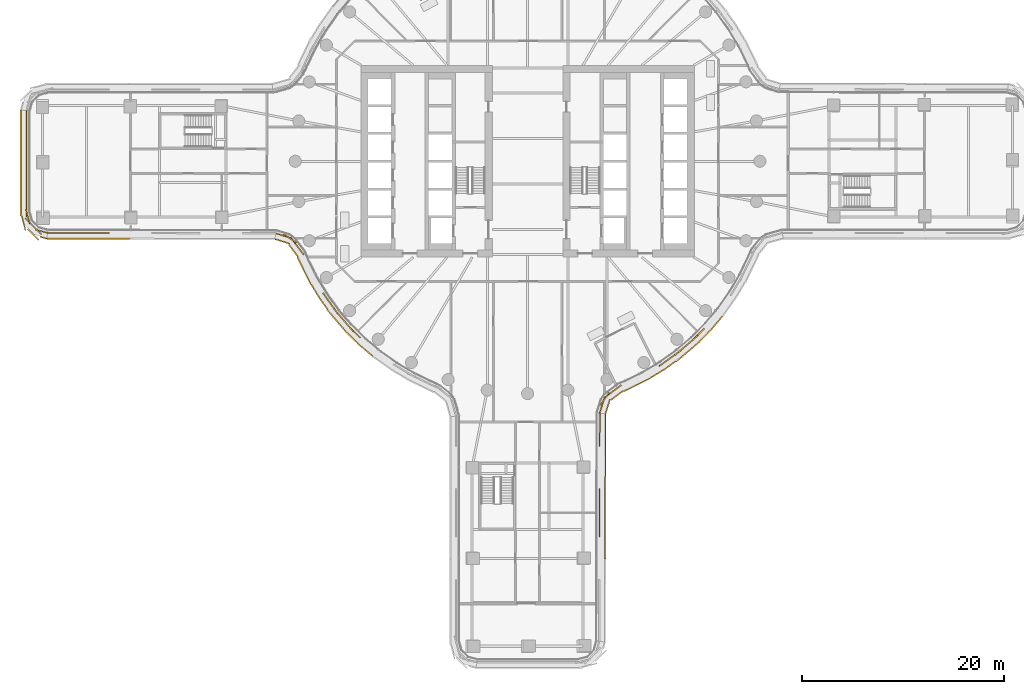
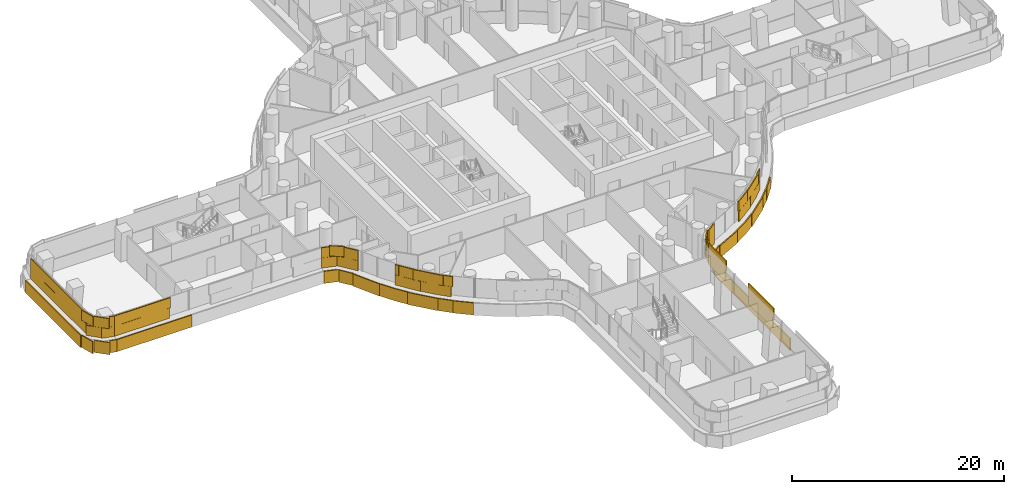
# One storey, part 26 of 32: 5 coverings.
"""IFC4 building model written with IfcOpenShell, lengths in metres."""

from ifc_helpers import new_model, si_unit, direction, frame, origin, origin_2d, place, context, subcontext, project, spatial, rectangle, extrude, material, layer, layer_set, type_object, element, save


model = new_model("IFC4")

# Units and contexts
model_context = context("Model", 3, precision=1e-05, world=origin(), true_north=direction((0.0, 1.0)))
body_context = subcontext(model_context, "Body", "Model", "MODEL_VIEW")
ifc_project = project(units=[si_unit("LENGTHUNIT", "METRE"), si_unit("AREAUNIT", "SQUARE_METRE"), si_unit("VOLUMEUNIT", "CUBIC_METRE"), si_unit("PLANEANGLEUNIT", "RADIAN"), si_unit("MASSUNIT", "GRAM", prefix="KILO")], contexts=[model_context])

# Site, building, storey
site_placement = place(None, origin())
site = spatial("IfcSite", under=ifc_project, at=site_placement, CompositionType="ELEMENT")
building_placement = place(site_placement, origin())
building = spatial("IfcBuilding", under=site, at=building_placement, Name="Tamarind Cross Interchange Tower", CompositionType="ELEMENT")
storey_placement = place(building_placement, frame((0.0, 0.0, 34.0)))
storey = spatial("IfcBuildingStorey", under=building, at=storey_placement, Name="L06", CompositionType="ELEMENT", Elevation=34.0)

# Coverings
ifc_material = material(Name="Terracotta", Category="masonry")
ifc_layer = layer(ifc_material, 0.1201171875)
ifc_layer_set = layer_set([ifc_layer], Name="Terracotta")
covering_type = type_object("IfcCoveringType", Name="Terracotta baguette screen unit", PredefinedType="MOLDING", material=ifc_layer_set)
covering_1_placement = place(storey_placement, origin())
element("IfcCovering", 1, at=covering_1_placement, inside=storey, type_object=covering_type, Name="SCR-L06-01-00", PredefinedType="MOLDING", context=body_context, shape_type="SweptSolid", body=[
    extrude(rectangle(XDim=1.510009765625, YDim=0.1201171875, at=origin_2d()), frame((-49.59765625, 4.261962890625, 1.404052734375), z_axis=(0.0, 0.0, 1.0), x_axis=(0.0, -1.0, 0.0)), (0.0, 0.0, 1.0), 1.1669921875),
    extrude(rectangle(XDim=1.52001953125, YDim=0.1201171875, at=origin_2d()), frame((-49.59765625, 2.761962890625, 1.404052734375), z_axis=(0.0, 0.0, 1.0), x_axis=(0.0, -1.0, 0.0)), (0.0, 0.0, 1.0), 1.1669921875),
    extrude(rectangle(XDim=1.52001953125, YDim=0.1201171875, at=origin_2d()), frame((-49.59765625, 1.261962890625, 1.404052734375), z_axis=(0.0, 0.0, 1.0), x_axis=(0.0, -1.0, 0.0)), (0.0, 0.0, 1.0), 1.1669921875),
    extrude(rectangle(XDim=1.52001953125, YDim=0.1201171875, at=origin_2d()), frame((-49.59765625, -0.238037109375, 1.404052734375), z_axis=(0.0, 0.0, 1.0), x_axis=(0.0, -1.0, 0.0)), (0.0, 0.0, 1.0), 1.1669921875),
    extrude(rectangle(XDim=1.52001953125, YDim=0.1201171875, at=origin_2d()), frame((-49.59765625, -1.738037109375, 1.404052734375), z_axis=(0.0, 0.0, 1.0), x_axis=(0.0, -1.0, 0.0)), (0.0, 0.0, 1.0), 1.1669921875),
    extrude(rectangle(XDim=1.52001953125, YDim=0.1201171875, at=origin_2d()), frame((-49.59765625, -3.238037109375, 1.404052734375), z_axis=(0.0, 0.0, 1.0), x_axis=(0.0, -1.0, 0.0)), (0.0, 0.0, 1.0), 1.1669921875),
    extrude(rectangle(XDim=1.52001953125, YDim=0.1201171875, at=origin_2d()), frame((-49.59765625, -4.738037109375, 1.404052734375), z_axis=(0.0, 0.0, 1.0), x_axis=(0.0, -1.0, 0.0)), (0.0, 0.0, 1.0), 1.1669921875),
    extrude(rectangle(XDim=1.52001953125, YDim=0.1201171875, at=origin_2d()), frame((-49.210693359375, -6.15625, 1.404052734375), z_axis=(0.0, 0.0, 1.0), x_axis=(0.707106781187, -0.707106781187, 0.0)), (0.0, 0.0, 1.0), 1.1669921875),
    extrude(rectangle(XDim=1.259521484375, YDim=0.1201171875, at=origin_2d()), frame((-48.123046875, -6.92822265625, 1.404052734375), z_axis=(0.0, 0.0, 1.0), x_axis=(0.965925826289, -0.258819045103, 0.0)), (0.0, 0.0, 1.0), 1.1669921875),
    extrude(rectangle(XDim=0.760009765625, YDim=0.1201171875, at=origin_2d()), frame((-49.59765625, 4.636962890625, 2.5791015625), z_axis=(0.0, 0.0, 1.0), x_axis=(0.0, -1.0, 0.0)), (0.0, 0.0, 1.0), 1.1669921875),
    extrude(rectangle(XDim=1.52001953125, YDim=0.1201171875, at=origin_2d()), frame((-49.59765625, 3.511962890625, 2.5791015625), z_axis=(0.0, 0.0, 1.0), x_axis=(0.0, -1.0, 0.0)), (0.0, 0.0, 1.0), 1.1669921875),
    extrude(rectangle(XDim=1.52001953125, YDim=0.1201171875, at=origin_2d()), frame((-49.59765625, 2.011962890625, 2.5791015625), z_axis=(0.0, 0.0, 1.0), x_axis=(0.0, -1.0, 0.0)), (0.0, 0.0, 1.0), 1.1669921875),
    extrude(rectangle(XDim=1.52001953125, YDim=0.1201171875, at=origin_2d()), frame((-49.59765625, 0.511962890625, 2.5791015625), z_axis=(0.0, 0.0, 1.0), x_axis=(0.0, -1.0, 0.0)), (0.0, 0.0, 1.0), 1.1669921875),
    extrude(rectangle(XDim=1.52001953125, YDim=0.1201171875, at=origin_2d()), frame((-49.59765625, -0.988037109375, 2.5791015625), z_axis=(0.0, 0.0, 1.0), x_axis=(0.0, -1.0, 0.0)), (0.0, 0.0, 1.0), 1.1669921875),
    extrude(rectangle(XDim=1.52001953125, YDim=0.1201171875, at=origin_2d()), frame((-49.59765625, -2.488037109375, 2.5791015625), z_axis=(0.0, 0.0, 1.0), x_axis=(0.0, -1.0, 0.0)), (0.0, 0.0, 1.0), 1.1669921875),
    extrude(rectangle(XDim=1.52001953125, YDim=0.1201171875, at=origin_2d()), frame((-49.59765625, -3.988037109375, 2.5791015625), z_axis=(0.0, 0.0, 1.0), x_axis=(0.0, -1.0, 0.0)), (0.0, 0.0, 1.0), 1.1669921875),
    extrude(rectangle(XDim=1.52001953125, YDim=0.1201171875, at=origin_2d()), frame((-49.474365234375, -5.471923828125, 2.5791015625), z_axis=(0.0, 0.0, 1.0), x_axis=(0.258819045103, -0.965925826289, 0.0)), (0.0, 0.0, 1.0), 1.1669921875),
    extrude(rectangle(XDim=1.52001953125, YDim=0.1201171875, at=origin_2d()), frame((-48.680419921875, -6.6865234375, 2.5791015625), z_axis=(0.0, 0.0, 1.0), x_axis=(0.707106781187, -0.707106781187, 0.0)), (0.0, 0.0, 1.0), 1.1669921875),
    extrude(rectangle(XDim=0.509521484375, YDim=0.1201171875, at=origin_2d()), frame((-47.7607421875, -7.025390625, 2.5791015625), z_axis=(0.0, 0.0, 1.0), x_axis=(0.965925826289, -0.258819045103, 0.0)), (0.0, 0.0, 1.0), 1.1669921875),
    extrude(rectangle(XDim=1.510009765625, YDim=0.1201171875, at=origin_2d()), frame((-50.171630859375, 4.33251953125, 0.00390625), z_axis=(0.0, 0.0, 1.0), x_axis=(0.0, -1.0, 0.0)), (0.0, 0.0, 1.0), 1.39208984375),
    extrude(rectangle(XDim=1.52001953125, YDim=0.1201171875, at=origin_2d()), frame((-50.171630859375, 2.83740234375, 0.00390625), z_axis=(0.0, 0.0, 1.0), x_axis=(0.0, -1.0, 0.0)), (0.0, 0.0, 1.0), 1.39208984375),
    extrude(rectangle(XDim=1.52001953125, YDim=0.1201171875, at=origin_2d()), frame((-50.171630859375, 1.33740234375, 0.00390625), z_axis=(0.0, 0.0, 1.0), x_axis=(0.0, -1.0, 0.0)), (0.0, 0.0, 1.0), 1.39208984375),
    extrude(rectangle(XDim=1.52001953125, YDim=0.1201171875, at=origin_2d()), frame((-50.171630859375, -0.16259765625, 0.00390625), z_axis=(0.0, 0.0, 1.0), x_axis=(0.0, -1.0, 0.0)), (0.0, 0.0, 1.0), 1.39208984375),
    extrude(rectangle(XDim=1.52001953125, YDim=0.1201171875, at=origin_2d()), frame((-50.171630859375, -1.66259765625, 0.00390625), z_axis=(0.0, 0.0, 1.0), x_axis=(0.0, -1.0, 0.0)), (0.0, 0.0, 1.0), 1.39208984375),
    extrude(rectangle(XDim=1.52001953125, YDim=0.1201171875, at=origin_2d()), frame((-50.171630859375, -3.16259765625, 0.00390625), z_axis=(0.0, 0.0, 1.0), x_axis=(0.0, -1.0, 0.0)), (0.0, 0.0, 1.0), 1.39208984375),
    extrude(rectangle(XDim=1.52001953125, YDim=0.1201171875, at=origin_2d()), frame((-50.171630859375, -4.66259765625, 0.00390625), z_axis=(0.0, 0.0, 1.0), x_axis=(0.0, -1.0, 0.0)), (0.0, 0.0, 1.0), 1.39208984375),
    extrude(rectangle(XDim=1.52001953125, YDim=0.1201171875, at=origin_2d()), frame((-49.893310546875, -6.1259765625, 0.00390625), z_axis=(0.0, 0.0, 1.0), x_axis=(0.258819045103, -0.965925826289, 0.0)), (0.0, 0.0, 1.0), 1.39208984375),
    extrude(rectangle(XDim=1.52001953125, YDim=0.1201171875, at=origin_2d()), frame((-48.93359375, -7.244873046875, 0.00390625), z_axis=(0.0, 0.0, 1.0), x_axis=(0.707106781187, -0.707106781187, 0.0)), (0.0, 0.0, 1.0), 1.39208984375),
    extrude(rectangle(XDim=0.676513671875, YDim=0.1201171875, at=origin_2d()), frame((-47.92236328125, -7.576171875, 0.00390625), z_axis=(0.0, 0.0, 1.0), x_axis=(0.965925826289, -0.258819045103, 0.0)), (0.0, 0.0, 1.0), 1.39208984375),
])
covering_2_placement = place(storey_placement, origin())
element("IfcCovering", 2, at=covering_2_placement, inside=storey, type_object=covering_type, Name="SCR-L06-02-00", PredefinedType="MOLDING", context=body_context, shape_type="SweptSolid", body=[
    extrude(rectangle(XDim=1.510009765625, YDim=0.1201171875, at=origin_2d()), frame((-46.76953125, -7.091552734375, 1.404052734375), z_axis=(0.0, 0.0, 1.0), x_axis=(0.999998075717, -0.00196177549, 0.0)), (0.0, 0.0, 1.0), 1.1669921875),
    extrude(rectangle(XDim=1.52001953125, YDim=0.1201171875, at=origin_2d()), frame((-45.26953125, -7.094482421875, 1.404052734375), z_axis=(0.0, 0.0, 1.0), x_axis=(0.999998075717, -0.00196177549, 0.0)), (0.0, 0.0, 1.0), 1.1669921875),
    extrude(rectangle(XDim=1.52001953125, YDim=0.1201171875, at=origin_2d()), frame((-43.76953125, -7.097412109375, 1.404052734375), z_axis=(0.0, 0.0, 1.0), x_axis=(0.999998075717, -0.00196177549, 0.0)), (0.0, 0.0, 1.0), 1.1669921875),
    extrude(rectangle(XDim=1.52001953125, YDim=0.1201171875, at=origin_2d()), frame((-42.26953125, -7.100341796875, 1.404052734375), z_axis=(0.0, 0.0, 1.0), x_axis=(0.999998075717, -0.00196177549, 0.0)), (0.0, 0.0, 1.0), 1.1669921875),
    extrude(rectangle(XDim=0.760009765625, YDim=0.1201171875, at=origin_2d()), frame((-47.14453125, -7.0908203125, 2.5791015625), z_axis=(0.0, 0.0, 1.0), x_axis=(0.999998075717, -0.00196177549, 0.0)), (0.0, 0.0, 1.0), 1.1669921875),
    extrude(rectangle(XDim=1.52001953125, YDim=0.1201171875, at=origin_2d()), frame((-46.01953125, -7.093017578125, 2.5791015625), z_axis=(0.0, 0.0, 1.0), x_axis=(0.999998075717, -0.00196177549, 0.0)), (0.0, 0.0, 1.0), 1.1669921875),
    extrude(rectangle(XDim=1.52001953125, YDim=0.1201171875, at=origin_2d()), frame((-44.51953125, -7.095947265625, 2.5791015625), z_axis=(0.0, 0.0, 1.0), x_axis=(0.999998075717, -0.00196177549, 0.0)), (0.0, 0.0, 1.0), 1.1669921875),
    extrude(rectangle(XDim=1.52001953125, YDim=0.1201171875, at=origin_2d()), frame((-43.01953125, -7.098876953125, 2.5791015625), z_axis=(0.0, 0.0, 1.0), x_axis=(0.999998075717, -0.00196177549, 0.0)), (0.0, 0.0, 1.0), 1.1669921875),
    extrude(rectangle(XDim=0.866943359375, YDim=0.1201171875, at=origin_2d()), frame((-41.841064453125, -7.10107421875, 2.5791015625), z_axis=(0.0, 0.0, 1.0), x_axis=(0.999998075717, -0.00196177549, 0.0)), (0.0, 0.0, 1.0), 1.1669921875),
    extrude(rectangle(XDim=1.510009765625, YDim=0.1201171875, at=origin_2d()), frame((-46.840576171875, -7.665283203125, 0.00390625), z_axis=(0.0, 0.0, 1.0), x_axis=(0.999998075717, -0.00196177549, 0.0)), (0.0, 0.0, 1.0), 1.39208984375),
    extrude(rectangle(XDim=1.52001953125, YDim=0.1201171875, at=origin_2d()), frame((-45.345703125, -7.668212890625, 0.00390625), z_axis=(0.0, 0.0, 1.0), x_axis=(0.999998075717, -0.00196177549, 0.0)), (0.0, 0.0, 1.0), 1.39208984375),
    extrude(rectangle(XDim=1.52001953125, YDim=0.1201171875, at=origin_2d()), frame((-43.845703125, -7.671142578125, 0.00390625), z_axis=(0.0, 0.0, 1.0), x_axis=(0.999998075717, -0.00196177549, 0.0)), (0.0, 0.0, 1.0), 1.39208984375),
    extrude(rectangle(XDim=1.52001953125, YDim=0.1201171875, at=origin_2d()), frame((-42.345703125, -7.674072265625, 0.00390625), z_axis=(0.0, 0.0, 1.0), x_axis=(0.999998075717, -0.00196177549, 0.0)), (0.0, 0.0, 1.0), 1.39208984375),
    extrude(rectangle(XDim=1.52001953125, YDim=0.1201171875, at=origin_2d()), frame((-40.845703125, -7.677001953125, 0.00390625), z_axis=(0.0, 0.0, 1.0), x_axis=(0.999998075717, -0.00196177549, 0.0)), (0.0, 0.0, 1.0), 1.39208984375),
    extrude(rectangle(XDim=0.712890625, YDim=0.1201171875, at=origin_2d()), frame((-39.749267578125, -7.67919921875, 0.00390625), z_axis=(0.0, 0.0, 1.0), x_axis=(0.999998075717, -0.00196177549, 0.0)), (0.0, 0.0, 1.0), 1.39208984375),
])
covering_3_placement = place(storey_placement, origin())
element("IfcCovering", 3, at=covering_3_placement, inside=storey, type_object=covering_type, Name="SCR-L06-03-00", PredefinedType="MOLDING", context=body_context, shape_type="SweptSolid", body=[
    extrude(rectangle(XDim=1.510009765625, YDim=0.1201171875, at=origin_2d()), frame((-24.21240234375, -7.355712890625, 1.404052734375), z_axis=(0.0, 0.0, 1.0), x_axis=(0.955427639853, -0.295225380016, 0.0)), (0.0, 0.0, 1.0), 1.1669921875),
    extrude(rectangle(XDim=1.52001953125, YDim=0.1201171875, at=origin_2d()), frame((-22.99560546875, -8.15234375, 1.404052734375), z_axis=(0.0, 0.0, 1.0), x_axis=(0.600597882554, -0.799551238803, 0.0)), (0.0, 0.0, 1.0), 1.1669921875),
    extrude(rectangle(XDim=0.657958984375, YDim=0.1201171875, at=origin_2d()), frame((-22.3505859375, -9.01123046875, 1.404052734375), z_axis=(0.0, 0.0, 1.0), x_axis=(0.600597882554, -0.799551238803, 0.0)), (0.0, 0.0, 1.0), 1.1669921875),
    extrude(rectangle(XDim=1.162109375, YDim=0.1201171875, at=origin_2d()), frame((-19.93994140625, -13.492431640625, 1.404052734375), z_axis=(0.0, 0.0, 1.0), x_axis=(0.584573890505, -0.811340475102, 0.0)), (0.0, 0.0, 1.0), 1.1669921875),
    extrude(rectangle(XDim=1.52001953125, YDim=0.1201171875, at=origin_2d()), frame((-19.164794921875, -14.568359375, 1.404052734375), z_axis=(0.0, 0.0, 1.0), x_axis=(0.584573890505, -0.811340475102, 0.0)), (0.0, 0.0, 1.0), 1.1669921875),
    extrude(rectangle(XDim=1.52001953125, YDim=0.1201171875, at=origin_2d()), frame((-18.215087890625, -15.72802734375, 1.404052734375), z_axis=(0.0, 0.0, 1.0), x_axis=(0.64957723968, -0.760295606781, 0.0)), (0.0, 0.0, 1.0), 1.1669921875),
    extrude(rectangle(XDim=1.52001953125, YDim=0.1201171875, at=origin_2d()), frame((-17.20263671875, -16.8330078125, 1.404052734375), z_axis=(0.0, 0.0, 1.0), x_axis=(0.710143317658, -0.704057148523, 0.0)), (0.0, 0.0, 1.0), 1.1669921875),
    extrude(rectangle(XDim=0.760009765625, YDim=0.1201171875, at=origin_2d()), frame((-24.570556640625, -7.2451171875, 2.5791015625), z_axis=(0.0, 0.0, 1.0), x_axis=(0.955427639853, -0.295225380016, 0.0)), (0.0, 0.0, 1.0), 1.1669921875),
    extrude(rectangle(XDim=1.52001953125, YDim=0.1201171875, at=origin_2d()), frame((-23.522705078125, -7.633056640625, 2.5791015625), z_axis=(0.0, 0.0, 1.0), x_axis=(0.825683949998, -0.564132976093, 0.0)), (0.0, 0.0, 1.0), 1.1669921875),
    extrude(rectangle(XDim=1.407958984375, YDim=0.1201171875, at=origin_2d()), frame((-22.57568359375, -8.71142578125, 2.5791015625), z_axis=(0.0, 0.0, 1.0), x_axis=(0.600597882554, -0.799551238803, 0.0)), (0.0, 0.0, 1.0), 1.1669921875),
    extrude(rectangle(XDim=0.412109375, YDim=0.1201171875, at=origin_2d()), frame((-20.153076171875, -13.18408203125, 2.5791015625), z_axis=(0.0, 0.0, 1.0), x_axis=(0.515577308909, -0.856843065292, 0.0)), (0.0, 0.0, 1.0), 1.1669921875),
    extrude(rectangle(XDim=1.52001953125, YDim=0.1201171875, at=origin_2d()), frame((-19.603271484375, -13.959716796875, 2.5791015625), z_axis=(0.0, 0.0, 1.0), x_axis=(0.584573890505, -0.811340475102, 0.0)), (0.0, 0.0, 1.0), 1.1669921875),
    extrude(rectangle(XDim=1.52001953125, YDim=0.1201171875, at=origin_2d()), frame((-18.7021484375, -15.157958984375, 2.5791015625), z_axis=(0.0, 0.0, 1.0), x_axis=(0.64957723968, -0.760295606781, 0.0)), (0.0, 0.0, 1.0), 1.1669921875),
    extrude(rectangle(XDim=1.52001953125, YDim=0.1201171875, at=origin_2d()), frame((-17.727783203125, -16.29833984375, 2.5791015625), z_axis=(0.0, 0.0, 1.0), x_axis=(0.64957723968, -0.760295606781, 0.0)), (0.0, 0.0, 1.0), 1.1669921875),
    extrude(rectangle(XDim=0.91357421875, YDim=0.1201171875, at=origin_2d()), frame((-16.8818359375, -17.151123046875, 2.5791015625), z_axis=(0.0, 0.0, 1.0), x_axis=(0.710143317658, -0.704057148523, 0.0)), (0.0, 0.0, 1.0), 1.1669921875),
    extrude(rectangle(XDim=1.510009765625, YDim=0.1201171875, at=origin_2d()), frame((-24.294677734375, -7.930908203125, 0.00390625), z_axis=(0.0, 0.0, 1.0), x_axis=(0.955427639853, -0.295225380016, 0.0)), (0.0, 0.0, 1.0), 1.39208984375),
    extrude(rectangle(XDim=1.52001953125, YDim=0.1201171875, at=origin_2d()), frame((-23.184814453125, -8.856201171875, 0.00390625), z_axis=(0.0, 0.0, 1.0), x_axis=(0.600597882554, -0.799551238803, 0.0)), (0.0, 0.0, 1.0), 1.39208984375),
    extrude(rectangle(XDim=1.52001953125, YDim=0.1201171875, at=origin_2d()), frame((-22.4638671875, -10.158447265625, 0.00390625), z_axis=(0.0, 0.0, 1.0), x_axis=(0.443058811505, -0.896492548518, 0.0)), (0.0, 0.0, 1.0), 1.39208984375),
    extrude(rectangle(XDim=1.52001953125, YDim=0.1201171875, at=origin_2d()), frame((-21.79931640625, -11.503173828125, 0.00390625), z_axis=(0.0, 0.0, 1.0), x_axis=(0.443058811505, -0.896492548518, 0.0)), (0.0, 0.0, 1.0), 1.39208984375),
    extrude(rectangle(XDim=1.52001953125, YDim=0.1201171875, at=origin_2d()), frame((-21.052490234375, -12.802734375, 0.00390625), z_axis=(0.0, 0.0, 1.0), x_axis=(0.515577308909, -0.856843065292, 0.0)), (0.0, 0.0, 1.0), 1.39208984375),
    extrude(rectangle(XDim=1.52001953125, YDim=0.1201171875, at=origin_2d()), frame((-20.23779296875, -14.06103515625, 0.00390625), z_axis=(0.0, 0.0, 1.0), x_axis=(0.584573890505, -0.811340475102, 0.0)), (0.0, 0.0, 1.0), 1.39208984375),
    extrude(rectangle(XDim=1.52001953125, YDim=0.1201171875, at=origin_2d()), frame((-19.357177734375, -15.27490234375, 0.00390625), z_axis=(0.0, 0.0, 1.0), x_axis=(0.64957723968, -0.760295606781, 0.0)), (0.0, 0.0, 1.0), 1.39208984375),
    extrude(rectangle(XDim=1.52001953125, YDim=0.1201171875, at=origin_2d()), frame((-18.3828125, -16.415283203125, 0.00390625), z_axis=(0.0, 0.0, 1.0), x_axis=(0.64957723968, -0.760295606781, 0.0)), (0.0, 0.0, 1.0), 1.39208984375),
    extrude(rectangle(XDim=1.52001953125, YDim=0.1201171875, at=origin_2d()), frame((-17.3466796875, -17.49853515625, 0.00390625), z_axis=(0.0, 0.0, 1.0), x_axis=(0.710143317658, -0.704057148523, 0.0)), (0.0, 0.0, 1.0), 1.39208984375),
    extrude(rectangle(XDim=1.52001953125, YDim=0.1201171875, at=origin_2d()), frame((-16.254638671875, -18.525146484375, 0.00390625), z_axis=(0.0, 0.0, 1.0), x_axis=(0.765858396687, -0.643009266048, 0.0)), (0.0, 0.0, 1.0), 1.39208984375),
    extrude(rectangle(XDim=0.460205078125, YDim=0.1201171875, at=origin_2d()), frame((-15.511474609375, -19.14892578125, 0.00390625), z_axis=(0.0, 0.0, 1.0), x_axis=(0.765858396687, -0.643009266048, 0.0)), (0.0, 0.0, 1.0), 1.39208984375),
])
covering_4_placement = place(storey_placement, origin())
element("IfcCovering", 4, at=covering_4_placement, inside=storey, type_object=covering_type, Name="SCR-L06-06-01", PredefinedType="MOLDING", context=body_context, shape_type="SweptSolid", body=[
    extrude(rectangle(XDim=1.52001953125, YDim=0.1201171875, at=origin_2d()), frame((7.112060546875, -36.26953125, 1.404052734375), z_axis=(0.0, 0.0, 1.0), x_axis=(0.00196177549, 0.999998075717, 0.0)), (0.0, 0.0, 1.0), 1.1669921875),
    extrude(rectangle(XDim=1.52001953125, YDim=0.1201171875, at=origin_2d()), frame((7.114990234375, -34.76953125, 1.404052734375), z_axis=(0.0, 0.0, 1.0), x_axis=(0.00196177549, 0.999998075717, 0.0)), (0.0, 0.0, 1.0), 1.1669921875),
    extrude(rectangle(XDim=1.52001953125, YDim=0.1201171875, at=origin_2d()), frame((7.117919921875, -33.26953125, 1.404052734375), z_axis=(0.0, 0.0, 1.0), x_axis=(0.00196177549, 0.999998075717, 0.0)), (0.0, 0.0, 1.0), 1.1669921875),
    extrude(rectangle(XDim=1.52001953125, YDim=0.1201171875, at=origin_2d()), frame((7.129638671875, -27.26953125, 1.404052734375), z_axis=(0.0, 0.0, 1.0), x_axis=(0.00196177549, 0.999998075717, 0.0)), (0.0, 0.0, 1.0), 1.1669921875),
    extrude(rectangle(XDim=1.52001953125, YDim=0.1201171875, at=origin_2d()), frame((7.132568359375, -25.76953125, 1.404052734375), z_axis=(0.0, 0.0, 1.0), x_axis=(0.00196177549, 0.999998075717, 0.0)), (0.0, 0.0, 1.0), 1.1669921875),
    extrude(rectangle(XDim=0.1005859375, YDim=0.1201171875, at=origin_2d()), frame((7.13427734375, -24.97412109375, 1.404052734375), z_axis=(0.0, 0.0, 1.0), x_axis=(0.00196177549, 0.999998075717, 0.0)), (0.0, 0.0, 1.0), 1.1669921875),
    extrude(rectangle(XDim=0.953125, YDim=0.1201171875, at=origin_2d()), frame((7.111083984375, -36.740966796875, 2.5791015625), z_axis=(0.0, 0.0, 1.0), x_axis=(0.00196177549, 0.999998075717, 0.0)), (0.0, 0.0, 1.0), 1.1669921875),
    extrude(rectangle(XDim=1.52001953125, YDim=0.1201171875, at=origin_2d()), frame((7.113525390625, -35.51953125, 2.5791015625), z_axis=(0.0, 0.0, 1.0), x_axis=(0.00196177549, 0.999998075717, 0.0)), (0.0, 0.0, 1.0), 1.1669921875),
    extrude(rectangle(XDim=1.52001953125, YDim=0.1201171875, at=origin_2d()), frame((7.116455078125, -34.01953125, 2.5791015625), z_axis=(0.0, 0.0, 1.0), x_axis=(0.00196177549, 0.999998075717, 0.0)), (0.0, 0.0, 1.0), 1.1669921875),
    extrude(rectangle(XDim=0.8662109375, YDim=0.1201171875, at=origin_2d()), frame((7.11865234375, -32.841552734375, 2.5791015625), z_axis=(0.0, 0.0, 1.0), x_axis=(0.00196177549, 0.999998075717, 0.0)), (0.0, 0.0, 1.0), 1.1669921875),
    extrude(rectangle(XDim=0.953857421875, YDim=0.1201171875, at=origin_2d()), frame((7.128662109375, -27.741455078125, 2.5791015625), z_axis=(0.0, 0.0, 1.0), x_axis=(0.00196177549, 0.999998075717, 0.0)), (0.0, 0.0, 1.0), 1.1669921875),
    extrude(rectangle(XDim=1.52001953125, YDim=0.1201171875, at=origin_2d()), frame((7.131103515625, -26.51953125, 2.5791015625), z_axis=(0.0, 0.0, 1.0), x_axis=(0.00196177549, 0.999998075717, 0.0)), (0.0, 0.0, 1.0), 1.1669921875),
    extrude(rectangle(XDim=0.8505859375, YDim=0.1201171875, at=origin_2d()), frame((7.133544921875, -25.34912109375, 2.5791015625), z_axis=(0.0, 0.0, 1.0), x_axis=(0.00196177549, 0.999998075717, 0.0)), (0.0, 0.0, 1.0), 1.1669921875),
    extrude(rectangle(XDim=0.80712890625, YDim=0.1201171875, at=origin_2d()), frame((7.6806640625, -38.9892578125, 0.00390625), z_axis=(0.0, 0.0, 1.0), x_axis=(0.00196177549, 0.999998075717, 0.0)), (0.0, 0.0, 1.0), 1.39208984375),
    extrude(rectangle(XDim=1.52001953125, YDim=0.1201171875, at=origin_2d()), frame((7.682861328125, -37.845703125, 0.00390625), z_axis=(0.0, 0.0, 1.0), x_axis=(0.00196177549, 0.999998075717, 0.0)), (0.0, 0.0, 1.0), 1.39208984375),
    extrude(rectangle(XDim=1.52001953125, YDim=0.1201171875, at=origin_2d()), frame((7.685791015625, -36.345703125, 0.00390625), z_axis=(0.0, 0.0, 1.0), x_axis=(0.00196177549, 0.999998075717, 0.0)), (0.0, 0.0, 1.0), 1.39208984375),
    extrude(rectangle(XDim=1.52001953125, YDim=0.1201171875, at=origin_2d()), frame((7.688720703125, -34.845703125, 0.00390625), z_axis=(0.0, 0.0, 1.0), x_axis=(0.00196177549, 0.999998075717, 0.0)), (0.0, 0.0, 1.0), 1.39208984375),
    extrude(rectangle(XDim=1.52001953125, YDim=0.1201171875, at=origin_2d()), frame((7.69189453125, -33.345703125, 0.00390625), z_axis=(0.0, 0.0, 1.0), x_axis=(0.00196177549, 0.999998075717, 0.0)), (0.0, 0.0, 1.0), 1.39208984375),
    extrude(rectangle(XDim=1.52001953125, YDim=0.1201171875, at=origin_2d()), frame((7.69482421875, -31.845703125, 0.00390625), z_axis=(0.0, 0.0, 1.0), x_axis=(0.00196177549, 0.999998075717, 0.0)), (0.0, 0.0, 1.0), 1.39208984375),
    extrude(rectangle(XDim=1.52001953125, YDim=0.1201171875, at=origin_2d()), frame((7.69775390625, -30.345703125, 0.00390625), z_axis=(0.0, 0.0, 1.0), x_axis=(0.00196177549, 0.999998075717, 0.0)), (0.0, 0.0, 1.0), 1.39208984375),
    extrude(rectangle(XDim=1.52001953125, YDim=0.1201171875, at=origin_2d()), frame((7.70068359375, -28.845703125, 0.00390625), z_axis=(0.0, 0.0, 1.0), x_axis=(0.00196177549, 0.999998075717, 0.0)), (0.0, 0.0, 1.0), 1.39208984375),
    extrude(rectangle(XDim=1.52001953125, YDim=0.1201171875, at=origin_2d()), frame((7.70361328125, -27.345703125, 0.00390625), z_axis=(0.0, 0.0, 1.0), x_axis=(0.00196177549, 0.999998075717, 0.0)), (0.0, 0.0, 1.0), 1.39208984375),
    extrude(rectangle(XDim=1.52001953125, YDim=0.1201171875, at=origin_2d()), frame((7.70654296875, -25.845703125, 0.00390625), z_axis=(0.0, 0.0, 1.0), x_axis=(0.00196177549, 0.999998075717, 0.0)), (0.0, 0.0, 1.0), 1.39208984375),
    extrude(rectangle(XDim=0.089599609375, YDim=0.1201171875, at=origin_2d()), frame((7.7080078125, -25.060791015625, 0.00390625), z_axis=(0.0, 0.0, 1.0), x_axis=(0.00196177549, 0.999998075717, 0.0)), (0.0, 0.0, 1.0), 1.39208984375),
])
covering_5_placement = place(storey_placement, origin())
element("IfcCovering", 5, at=covering_5_placement, inside=storey, type_object=covering_type, Name="SCR-L06-07-00", PredefinedType="MOLDING", context=body_context, shape_type="SweptSolid", body=[
    extrude(rectangle(XDim=1.510009765625, YDim=0.1201171875, at=origin_2d()), frame((7.355712890625, -24.21240234375, 1.404052734375), z_axis=(0.0, 0.0, 1.0), x_axis=(0.295225380016, 0.955427639853, 0.0)), (0.0, 0.0, 1.0), 1.1669921875),
    extrude(rectangle(XDim=1.52001953125, YDim=0.1201171875, at=origin_2d()), frame((8.15234375, -22.99560546875, 1.404052734375), z_axis=(0.0, 0.0, 1.0), x_axis=(0.799551238803, 0.600597882554, 0.0)), (0.0, 0.0, 1.0), 1.1669921875),
    extrude(rectangle(XDim=0.657958984375, YDim=0.1201171875, at=origin_2d()), frame((9.01123046875, -22.3505859375, 1.404052734375), z_axis=(0.0, 0.0, 1.0), x_axis=(0.799551238803, 0.600597882554, 0.0)), (0.0, 0.0, 1.0), 1.1669921875),
    extrude(rectangle(XDim=1.162109375, YDim=0.1201171875, at=origin_2d()), frame((13.492431640625, -19.93994140625, 1.404052734375), z_axis=(0.0, 0.0, 1.0), x_axis=(0.811340475102, 0.584573890505, 0.0)), (0.0, 0.0, 1.0), 1.1669921875),
    extrude(rectangle(XDim=1.52001953125, YDim=0.1201171875, at=origin_2d()), frame((14.568359375, -19.164794921875, 1.404052734375), z_axis=(0.0, 0.0, 1.0), x_axis=(0.811340475102, 0.584573890505, 0.0)), (0.0, 0.0, 1.0), 1.1669921875),
    extrude(rectangle(XDim=1.52001953125, YDim=0.1201171875, at=origin_2d()), frame((15.72802734375, -18.215087890625, 1.404052734375), z_axis=(0.0, 0.0, 1.0), x_axis=(0.760295606781, 0.64957723968, 0.0)), (0.0, 0.0, 1.0), 1.1669921875),
    extrude(rectangle(XDim=1.52001953125, YDim=0.1201171875, at=origin_2d()), frame((16.8330078125, -17.20263671875, 1.404052734375), z_axis=(0.0, 0.0, 1.0), x_axis=(0.704057148523, 0.710143317658, 0.0)), (0.0, 0.0, 1.0), 1.1669921875),
    extrude(rectangle(XDim=0.760009765625, YDim=0.1201171875, at=origin_2d()), frame((7.2451171875, -24.570556640625, 2.5791015625), z_axis=(0.0, 0.0, 1.0), x_axis=(0.295225380016, 0.955427639853, 0.0)), (0.0, 0.0, 1.0), 1.1669921875),
    extrude(rectangle(XDim=1.52001953125, YDim=0.1201171875, at=origin_2d()), frame((7.633056640625, -23.522705078125, 2.5791015625), z_axis=(0.0, 0.0, 1.0), x_axis=(0.564132976093, 0.825683949998, 0.0)), (0.0, 0.0, 1.0), 1.1669921875),
    extrude(rectangle(XDim=1.407958984375, YDim=0.1201171875, at=origin_2d()), frame((8.71142578125, -22.57568359375, 2.5791015625), z_axis=(0.0, 0.0, 1.0), x_axis=(0.799551238803, 0.600597882554, 0.0)), (0.0, 0.0, 1.0), 1.1669921875),
    extrude(rectangle(XDim=0.412109375, YDim=0.1201171875, at=origin_2d()), frame((13.18408203125, -20.153076171875, 2.5791015625), z_axis=(0.0, 0.0, 1.0), x_axis=(0.856843065292, 0.515577308909, 0.0)), (0.0, 0.0, 1.0), 1.1669921875),
    extrude(rectangle(XDim=1.52001953125, YDim=0.1201171875, at=origin_2d()), frame((13.959716796875, -19.603271484375, 2.5791015625), z_axis=(0.0, 0.0, 1.0), x_axis=(0.811340475102, 0.584573890505, 0.0)), (0.0, 0.0, 1.0), 1.1669921875),
    extrude(rectangle(XDim=1.52001953125, YDim=0.1201171875, at=origin_2d()), frame((15.157958984375, -18.7021484375, 2.5791015625), z_axis=(0.0, 0.0, 1.0), x_axis=(0.760295606781, 0.64957723968, 0.0)), (0.0, 0.0, 1.0), 1.1669921875),
    extrude(rectangle(XDim=1.52001953125, YDim=0.1201171875, at=origin_2d()), frame((16.29833984375, -17.727783203125, 2.5791015625), z_axis=(0.0, 0.0, 1.0), x_axis=(0.760295606781, 0.64957723968, 0.0)), (0.0, 0.0, 1.0), 1.1669921875),
    extrude(rectangle(XDim=0.91357421875, YDim=0.1201171875, at=origin_2d()), frame((17.151123046875, -16.8818359375, 2.5791015625), z_axis=(0.0, 0.0, 1.0), x_axis=(0.704057148523, 0.710143317658, 0.0)), (0.0, 0.0, 1.0), 1.1669921875),
    extrude(rectangle(XDim=1.510009765625, YDim=0.1201171875, at=origin_2d()), frame((7.930908203125, -24.294677734375, 0.00390625), z_axis=(0.0, 0.0, 1.0), x_axis=(0.295225380016, 0.955427639853, 0.0)), (0.0, 0.0, 1.0), 1.39208984375),
    extrude(rectangle(XDim=1.52001953125, YDim=0.1201171875, at=origin_2d()), frame((8.856201171875, -23.184814453125, 0.00390625), z_axis=(0.0, 0.0, 1.0), x_axis=(0.799551238803, 0.600597882554, 0.0)), (0.0, 0.0, 1.0), 1.39208984375),
    extrude(rectangle(XDim=1.52001953125, YDim=0.1201171875, at=origin_2d()), frame((10.158447265625, -22.4638671875, 0.00390625), z_axis=(0.0, 0.0, 1.0), x_axis=(0.896492548518, 0.443058811505, 0.0)), (0.0, 0.0, 1.0), 1.39208984375),
    extrude(rectangle(XDim=1.52001953125, YDim=0.1201171875, at=origin_2d()), frame((11.503173828125, -21.79931640625, 0.00390625), z_axis=(0.0, 0.0, 1.0), x_axis=(0.896492548518, 0.443058811505, 0.0)), (0.0, 0.0, 1.0), 1.39208984375),
    extrude(rectangle(XDim=1.52001953125, YDim=0.1201171875, at=origin_2d()), frame((12.802734375, -21.052490234375, 0.00390625), z_axis=(0.0, 0.0, 1.0), x_axis=(0.856843065292, 0.515577308909, 0.0)), (0.0, 0.0, 1.0), 1.39208984375),
    extrude(rectangle(XDim=1.52001953125, YDim=0.1201171875, at=origin_2d()), frame((14.06103515625, -20.23779296875, 0.00390625), z_axis=(0.0, 0.0, 1.0), x_axis=(0.811340475102, 0.584573890505, 0.0)), (0.0, 0.0, 1.0), 1.39208984375),
    extrude(rectangle(XDim=1.52001953125, YDim=0.1201171875, at=origin_2d()), frame((15.27490234375, -19.357177734375, 0.00390625), z_axis=(0.0, 0.0, 1.0), x_axis=(0.760295606781, 0.64957723968, 0.0)), (0.0, 0.0, 1.0), 1.39208984375),
    extrude(rectangle(XDim=1.52001953125, YDim=0.1201171875, at=origin_2d()), frame((16.415283203125, -18.3828125, 0.00390625), z_axis=(0.0, 0.0, 1.0), x_axis=(0.760295606781, 0.64957723968, 0.0)), (0.0, 0.0, 1.0), 1.39208984375),
    extrude(rectangle(XDim=1.52001953125, YDim=0.1201171875, at=origin_2d()), frame((17.49853515625, -17.3466796875, 0.00390625), z_axis=(0.0, 0.0, 1.0), x_axis=(0.704057148523, 0.710143317658, 0.0)), (0.0, 0.0, 1.0), 1.39208984375),
    extrude(rectangle(XDim=1.52001953125, YDim=0.1201171875, at=origin_2d()), frame((18.525146484375, -16.254638671875, 0.00390625), z_axis=(0.0, 0.0, 1.0), x_axis=(0.643009266048, 0.765858396687, 0.0)), (0.0, 0.0, 1.0), 1.39208984375),
    extrude(rectangle(XDim=0.460205078125, YDim=0.1201171875, at=origin_2d()), frame((19.14892578125, -15.511474609375, 0.00390625), z_axis=(0.0, 0.0, 1.0), x_axis=(0.643009266048, 0.765858396687, 0.0)), (0.0, 0.0, 1.0), 1.39208984375),
])

save(model, "model.ifc")
